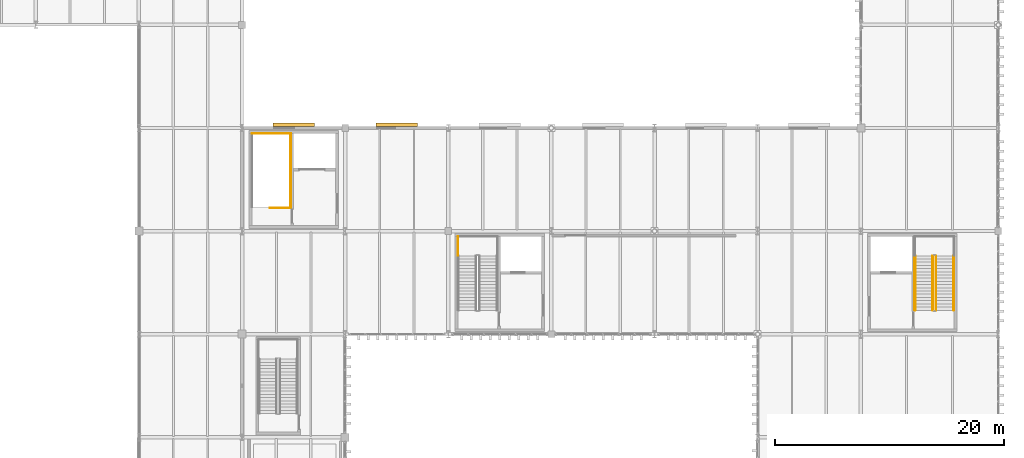
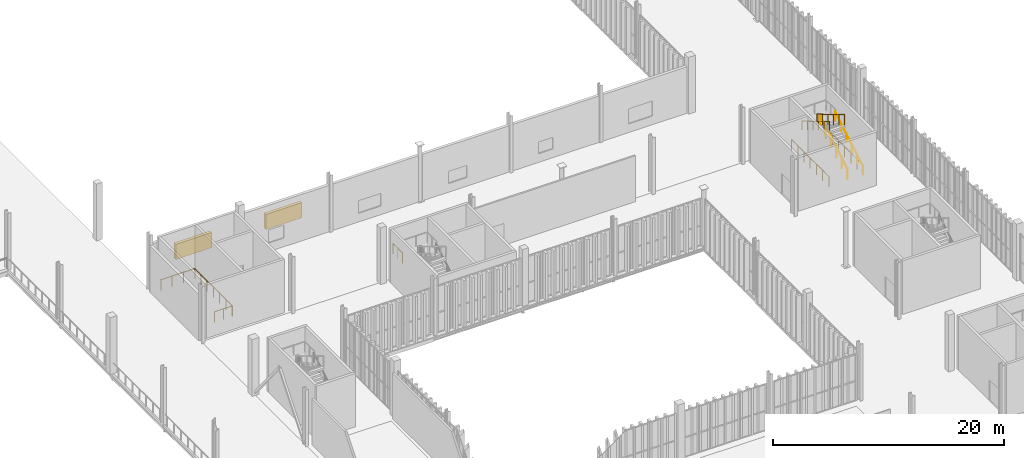
# One storey, part 206 of 211: 10 railings, 2 shading devices.
"""IFC4 building model written with IfcOpenShell, lengths in metres."""

from ifc_helpers import new_model, si_unit, direction, frame, origin, origin_2d, place, context, subcontext, project, spatial, rectangle, circle, extrude, material, type_object, element, save


model = new_model("IFC4")

# Units and contexts
model_context = context("Model", 3, precision=1e-05, world=origin(), true_north=direction((0.0, 1.0)))
body_context = subcontext(model_context, "Body", "Model", "MODEL_VIEW")
ifc_project = project(units=[si_unit("LENGTHUNIT", "METRE"), si_unit("AREAUNIT", "SQUARE_METRE"), si_unit("VOLUMEUNIT", "CUBIC_METRE"), si_unit("PLANEANGLEUNIT", "RADIAN"), si_unit("MASSUNIT", "GRAM", prefix="KILO")], contexts=[model_context])

# Site, building, storey
site_placement = place(None, origin())
site = spatial("IfcSite", under=ifc_project, at=site_placement, CompositionType="ELEMENT")
building_placement = place(site_placement, origin())
building = spatial("IfcBuilding", under=site, at=building_placement, Name="Barlavento Convention Centre", CompositionType="ELEMENT")
storey_placement = place(building_placement, frame((0.0, 0.0, 6.0)))
storey = spatial("IfcBuildingStorey", under=building, at=storey_placement, Name="L01", CompositionType="ELEMENT", Elevation=6.0)

# Railings
ifc_material_1 = material(Name="Stainless steel and laminated glass balustrade", Category="steel")
railing_type_1 = type_object("IfcRailingType", Name="ARC-RAL-BAL-1100", PredefinedType="BALUSTRADE", material=ifc_material_1)
railing_1_placement = place(storey_placement, frame((186.580078125, 92.090087890625, 0.166748046875)))
element("IfcRailing", 1, at=railing_1_placement, inside=storey, type_object=railing_type_1, Name="L01 ST08 stair guard 1", PredefinedType="BALUSTRADE", context=body_context, shape_type="SweptSolid", body=[
    extrude(circle(Radius=0.02392578125, at=origin_2d()), frame((0.0, 0.0, 1.076171875), z_axis=(0.0, 0.859299802514, 0.511472237174), x_axis=(-1.0, 0.0, 0.0)), (0.0, 0.0, 1.0), 5.539306640625),
    extrude(circle(Radius=0.02099609375, at=origin_2d()), origin(), (0.0, 0.0, 1.0), 1.052001953125),
    extrude(circle(Radius=0.02099609375, at=origin_2d()), frame((0.0, 0.951904296875, 0.566650390625)), (0.0, 0.0, 1.0), 1.052001953125),
    extrude(circle(Radius=0.02099609375, at=origin_2d()), frame((0.0, 1.904052734375, 1.13330078125)), (0.0, 0.0, 1.0), 1.052001953125),
    extrude(circle(Radius=0.02099609375, at=origin_2d()), frame((0.0, 2.85595703125, 1.699951171875)), (0.0, 0.0, 1.0), 1.052001953125),
    extrude(circle(Radius=0.02099609375, at=origin_2d()), frame((0.0, 3.80810546875, 2.2666015625)), (0.0, 0.0, 1.0), 1.052001953125),
    extrude(circle(Radius=0.02099609375, at=origin_2d()), frame((0.0, 4.760009765625, 2.833251953125)), (0.0, 0.0, 1.0), 1.052001953125),
])
railing_2_placement = place(storey_placement, frame((186.280029296875, 96.85009765625, 3.166748046875)))
element("IfcRailing", 2, at=railing_2_placement, inside=storey, type_object=railing_type_1, Name="L01 ST08 stair guard 3", PredefinedType="BALUSTRADE", context=body_context, shape_type="SweptSolid", body=[
    extrude(circle(Radius=0.02392578125, at=origin_2d()), frame((0.0, 0.0, 1.076171875), z_axis=(0.0, -0.859299802514, 0.511472237174), x_axis=(1.0, 0.0, 0.0)), (0.0, 0.0, 1.0), 5.539306640625),
    extrude(circle(Radius=0.02099609375, at=origin_2d()), origin(), (0.0, 0.0, 1.0), 1.052001953125),
    extrude(circle(Radius=0.02099609375, at=origin_2d()), frame((0.0, -0.951904296875, 0.566650390625)), (0.0, 0.0, 1.0), 1.052001953125),
    extrude(circle(Radius=0.02099609375, at=origin_2d()), frame((0.0, -1.904052734375, 1.13330078125)), (0.0, 0.0, 1.0), 1.052001953125),
    extrude(circle(Radius=0.02099609375, at=origin_2d()), frame((0.0, -2.85595703125, 1.699951171875)), (0.0, 0.0, 1.0), 1.052001953125),
    extrude(circle(Radius=0.02099609375, at=origin_2d()), frame((0.0, -3.80810546875, 2.2666015625)), (0.0, 0.0, 1.0), 1.052001953125),
    extrude(circle(Radius=0.02099609375, at=origin_2d()), frame((0.0, -4.760009765625, 2.833251953125)), (0.0, 0.0, 1.0), 1.052001953125),
])
railing_3_placement = place(storey_placement, frame((188.14990234375, 92.114990234375, 0.0)))
element("IfcRailing", 3, at=railing_3_placement, inside=storey, type_object=railing_type_1, Name="L01 stairwell perimeter guard GR01", PredefinedType="BALUSTRADE", context=body_context, shape_type="SweptSolid", body=[
    extrude(circle(Radius=0.02392578125, at=origin_2d()), frame((0.0, 0.0, 1.076171875), z_axis=(0.0, 1.0, 0.0), x_axis=(-1.0, 0.0, 0.0)), (0.0, 0.0, 1.0), 6.4150390625),
    extrude(circle(Radius=0.02099609375, at=origin_2d()), origin(), (0.0, 0.0, 1.0), 1.052001953125),
    extrude(circle(Radius=0.02099609375, at=origin_2d()), frame((0.0, 1.069091796875, 0.0)), (0.0, 0.0, 1.0), 1.052001953125),
    extrude(circle(Radius=0.02099609375, at=origin_2d()), frame((0.0, 2.138427734375, 0.0)), (0.0, 0.0, 1.0), 1.052001953125),
    extrude(circle(Radius=0.02099609375, at=origin_2d()), frame((0.0, 3.20751953125, 0.0)), (0.0, 0.0, 1.0), 1.052001953125),
    extrude(circle(Radius=0.02099609375, at=origin_2d()), frame((0.0, 4.276611328125, 0.0)), (0.0, 0.0, 1.0), 1.052001953125),
    extrude(circle(Radius=0.02099609375, at=origin_2d()), frame((0.0, 5.345947265625, 0.0)), (0.0, 0.0, 1.0), 1.052001953125),
    extrude(circle(Radius=0.02099609375, at=origin_2d()), frame((0.0, 6.4150390625, 0.0)), (0.0, 0.0, 1.0), 1.052001953125),
])
railing_4_placement = place(storey_placement, frame((184.7099609375, 98.530029296875, 0.0)))
element("IfcRailing", 4, at=railing_4_placement, inside=storey, type_object=railing_type_1, Name="L01 stairwell perimeter guard GR01", PredefinedType="BALUSTRADE", context=body_context, shape_type="SweptSolid", body=[
    extrude(circle(Radius=0.02392578125, at=origin_2d()), frame((0.0, 0.0, 1.076171875), z_axis=(0.0, -1.0, 0.0), x_axis=(1.0, 0.0, 0.0)), (0.0, 0.0, 1.0), 6.4150390625),
    extrude(circle(Radius=0.02099609375, at=origin_2d()), origin(), (0.0, 0.0, 1.0), 1.052001953125),
    extrude(circle(Radius=0.02099609375, at=origin_2d()), frame((0.0, -1.069091796875, 0.0)), (0.0, 0.0, 1.0), 1.052001953125),
    extrude(circle(Radius=0.02099609375, at=origin_2d()), frame((0.0, -2.138427734375, 0.0)), (0.0, 0.0, 1.0), 1.052001953125),
    extrude(circle(Radius=0.02099609375, at=origin_2d()), frame((0.0, -3.20751953125, 0.0)), (0.0, 0.0, 1.0), 1.052001953125),
    extrude(circle(Radius=0.02099609375, at=origin_2d()), frame((0.0, -4.276611328125, 0.0)), (0.0, 0.0, 1.0), 1.052001953125),
    extrude(circle(Radius=0.02099609375, at=origin_2d()), frame((0.0, -5.345947265625, 0.0)), (0.0, 0.0, 1.0), 1.052001953125),
    extrude(circle(Radius=0.02099609375, at=origin_2d()), frame((0.0, -6.4150390625, 0.0)), (0.0, 0.0, 1.0), 1.052001953125),
])
railing_5_placement = place(storey_placement, frame((144.85009765625, 96.85009765625, 3.0)))
element("IfcRailing", 5, at=railing_5_placement, inside=storey, type_object=railing_type_1, Name="L01 landing guard GR01", PredefinedType="BALUSTRADE", context=body_context, shape_type="SweptSolid", body=[
    extrude(circle(Radius=0.02392578125, at=origin_2d()), frame((0.0, 0.0, 1.076171875), z_axis=(0.0, 1.0, 0.0), x_axis=(-1.0, 0.0, 0.0)), (0.0, 0.0, 1.0), 1.679931640625),
    extrude(circle(Radius=0.02099609375, at=origin_2d()), origin(), (0.0, 0.0, 1.0), 1.052001953125),
    extrude(circle(Radius=0.02099609375, at=origin_2d()), frame((0.0, 0.83984375, 0.0)), (0.0, 0.0, 1.0), 1.052001953125),
    extrude(circle(Radius=0.02099609375, at=origin_2d()), frame((0.0, 1.679931640625, 0.0)), (0.0, 0.0, 1.0), 1.052001953125),
])
railing_6_placement = place(storey_placement, frame((130.25, 101.02001953125, 0.0)))
element("IfcRailing", 6, at=railing_6_placement, inside=storey, type_object=railing_type_1, Name="L01 ST10 top well guard 1", PredefinedType="BALUSTRADE", context=body_context, shape_type="SweptSolid", body=[
    extrude(circle(Radius=0.02392578125, at=origin_2d()), frame((0.0, 0.0, 1.076171875), z_axis=(-1.0, 0.0, 0.0), x_axis=(0.0, -1.0, 0.0)), (0.0, 0.0, 1.0), 1.800048828125),
    extrude(circle(Radius=0.02099609375, at=origin_2d()), origin(), (0.0, 0.0, 1.0), 1.052001953125),
    extrude(circle(Radius=0.02099609375, at=origin_2d()), frame((-0.89990234375, 0.0, 0.0)), (0.0, 0.0, 1.0), 1.052001953125),
    extrude(circle(Radius=0.02099609375, at=origin_2d()), frame((-1.800048828125, 0.0, 0.0)), (0.0, 0.0, 1.0), 1.052001953125),
])
railing_7_placement = place(storey_placement, frame((130.25, 101.094970703125, 0.0)))
element("IfcRailing", 7, at=railing_7_placement, inside=storey, type_object=railing_type_1, Name="L01 stairwell perimeter guard GR01", PredefinedType="BALUSTRADE", context=body_context, shape_type="SweptSolid", body=[
    extrude(circle(Radius=0.02392578125, at=origin_2d()), frame((0.0, 0.0, 1.076171875), z_axis=(0.0, 1.0, 0.0), x_axis=(-1.0, 0.0, 0.0)), (0.0, 0.0, 1.0), 6.43505859375),
    extrude(circle(Radius=0.02099609375, at=origin_2d()), origin(), (0.0, 0.0, 1.0), 1.052001953125),
    extrude(circle(Radius=0.02099609375, at=origin_2d()), frame((0.0, 1.072509765625, 0.0)), (0.0, 0.0, 1.0), 1.052001953125),
    extrude(circle(Radius=0.02099609375, at=origin_2d()), frame((0.0, 2.14501953125, 0.0)), (0.0, 0.0, 1.0), 1.052001953125),
    extrude(circle(Radius=0.02099609375, at=origin_2d()), frame((0.0, 3.217529296875, 0.0)), (0.0, 0.0, 1.0), 1.052001953125),
    extrude(circle(Radius=0.02099609375, at=origin_2d()), frame((0.0, 4.2900390625, 0.0)), (0.0, 0.0, 1.0), 1.052001953125),
    extrude(circle(Radius=0.02099609375, at=origin_2d()), frame((0.0, 5.362548828125, 0.0)), (0.0, 0.0, 1.0), 1.052001953125),
    extrude(circle(Radius=0.02099609375, at=origin_2d()), frame((0.0, 6.43505859375, 0.0)), (0.0, 0.0, 1.0), 1.052001953125),
])
railing_8_placement = place(storey_placement, frame((130.25, 107.530029296875, 0.0)))
element("IfcRailing", 8, at=railing_8_placement, inside=storey, type_object=railing_type_1, Name="L01 stairwell perimeter guard GR01", PredefinedType="BALUSTRADE", context=body_context, shape_type="SweptSolid", body=[
    extrude(circle(Radius=0.02392578125, at=origin_2d()), frame((0.0, 0.0, 1.076171875), z_axis=(-1.0, 0.0, 0.0), x_axis=(0.0, -1.0, 0.0)), (0.0, 0.0, 1.0), 3.39990234375),
    extrude(circle(Radius=0.02099609375, at=origin_2d()), origin(), (0.0, 0.0, 1.0), 1.052001953125),
    extrude(circle(Radius=0.02099609375, at=origin_2d()), frame((-1.13330078125, 0.0, 0.0)), (0.0, 0.0, 1.0), 1.052001953125),
    extrude(circle(Radius=0.02099609375, at=origin_2d()), frame((-2.2666015625, 0.0, 0.0)), (0.0, 0.0, 1.0), 1.052001953125),
    extrude(circle(Radius=0.02099609375, at=origin_2d()), frame((-3.39990234375, 0.0, 0.0)), (0.0, 0.0, 1.0), 1.052001953125),
])
ifc_material_2 = material(Name="Brushed stainless steel tubular handrail", Category="steel")
railing_type_2 = type_object("IfcRailingType", Name="ARC-RAL-HR-900", PredefinedType="HANDRAIL", material=ifc_material_2)
railing_9_placement = place(storey_placement, frame((188.10009765625, 92.090087890625, 0.166748046875)))
element("IfcRailing", 9, at=railing_9_placement, inside=storey, type_object=railing_type_2, Name="L01 ST08 stair handrail 1", PredefinedType="HANDRAIL", context=body_context, shape_type="SweptSolid", body=[
    extrude(circle(Radius=0.02392578125, at=origin_2d()), frame((0.0, 0.0, 0.8759765625), z_axis=(0.0, 0.859299802514, 0.511472237174), x_axis=(-1.0, 0.0, 0.0)), (0.0, 0.0, 1.0), 5.539306640625),
    extrude(circle(Radius=0.02099609375, at=origin_2d()), origin(), (0.0, 0.0, 1.0), 0.851806640625),
    extrude(circle(Radius=0.02099609375, at=origin_2d()), frame((0.0, 0.951904296875, 0.566650390625)), (0.0, 0.0, 1.0), 0.851806640625),
    extrude(circle(Radius=0.02099609375, at=origin_2d()), frame((0.0, 1.904052734375, 1.13330078125)), (0.0, 0.0, 1.0), 0.851806640625),
    extrude(circle(Radius=0.02099609375, at=origin_2d()), frame((0.0, 2.85595703125, 1.699951171875)), (0.0, 0.0, 1.0), 0.851806640625),
    extrude(circle(Radius=0.02099609375, at=origin_2d()), frame((0.0, 3.80810546875, 2.2666015625)), (0.0, 0.0, 1.0), 0.851806640625),
    extrude(circle(Radius=0.02099609375, at=origin_2d()), frame((0.0, 4.760009765625, 2.833251953125)), (0.0, 0.0, 1.0), 0.851806640625),
])
railing_10_placement = place(storey_placement, frame((184.760009765625, 96.85009765625, 3.166748046875)))
element("IfcRailing", 10, at=railing_10_placement, inside=storey, type_object=railing_type_2, Name="L01 ST08 stair handrail 2", PredefinedType="HANDRAIL", context=body_context, shape_type="SweptSolid", body=[
    extrude(circle(Radius=0.02392578125, at=origin_2d()), frame((0.0, 0.0, 0.8759765625), z_axis=(0.0, -0.859299802514, 0.511472237174), x_axis=(1.0, 0.0, 0.0)), (0.0, 0.0, 1.0), 5.539306640625),
    extrude(circle(Radius=0.02099609375, at=origin_2d()), origin(), (0.0, 0.0, 1.0), 0.851806640625),
    extrude(circle(Radius=0.02099609375, at=origin_2d()), frame((0.0, -0.951904296875, 0.566650390625)), (0.0, 0.0, 1.0), 0.851806640625),
    extrude(circle(Radius=0.02099609375, at=origin_2d()), frame((0.0, -1.904052734375, 1.13330078125)), (0.0, 0.0, 1.0), 0.851806640625),
    extrude(circle(Radius=0.02099609375, at=origin_2d()), frame((0.0, -2.85595703125, 1.699951171875)), (0.0, 0.0, 1.0), 0.851806640625),
    extrude(circle(Radius=0.02099609375, at=origin_2d()), frame((0.0, -3.80810546875, 2.2666015625)), (0.0, 0.0, 1.0), 0.851806640625),
    extrude(circle(Radius=0.02099609375, at=origin_2d()), frame((0.0, -4.760009765625, 2.833251953125)), (0.0, 0.0, 1.0), 0.851806640625),
])

# Shading devices
ifc_material_3 = material(Name="Powder-coated aluminium acoustic louvre", Category="aluminium")
shading_device_type = type_object("IfcShadingDeviceType", Name="ARC-SHD-LOUVRE", PredefinedType="JALOUSIE", material=ifc_material_3)
for number, where, z_axis, x_axis, name in (
    (11, (130.5, 108.280029296875, 2.199951171875), (0.0, 0.0, 1.0), (1.0, 0.0, 0.0), "Plant room acoustic storm louvre ALV01"),
    (12, (139.5, 108.280029296875, 2.199951171875), (0.0, 0.0, 1.0), (1.0, 0.0, 0.0), "Plant room acoustic storm louvre ALV01"),
):
    element("IfcShadingDevice", number, at=place(storey_placement, frame(where, z_axis=z_axis, x_axis=x_axis)), inside=storey, type_object=shading_device_type, Name=name, PredefinedType="JALOUSIE", context=body_context, shape_type="SweptSolid", body=[
        extrude(rectangle(XDim=3.60009765625, YDim=0.300048828125, at=origin_2d()), origin(), (0.0, 0.0, 1.0), 1.60009765625),
    ])

save(model, "model.ifc")
